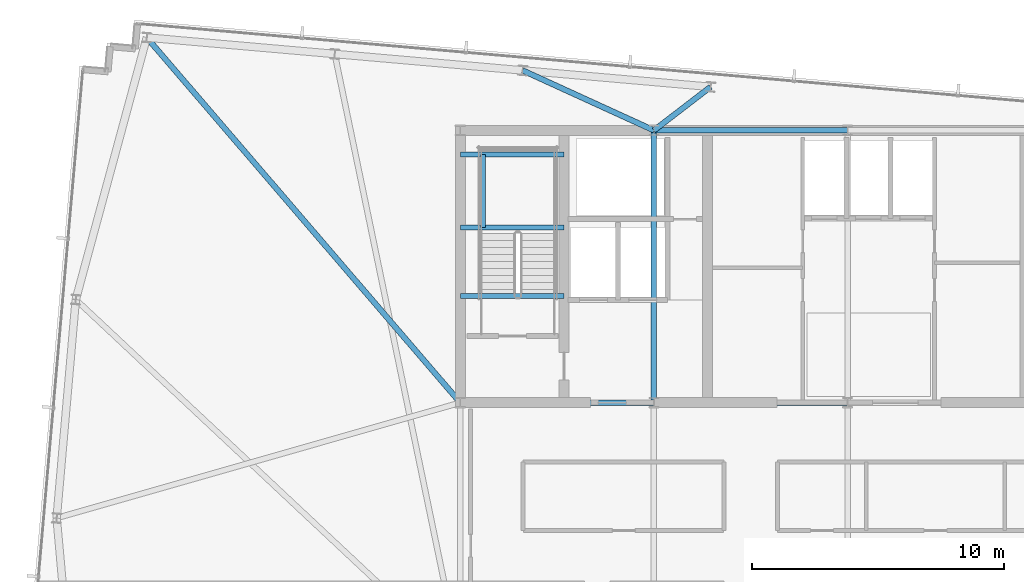
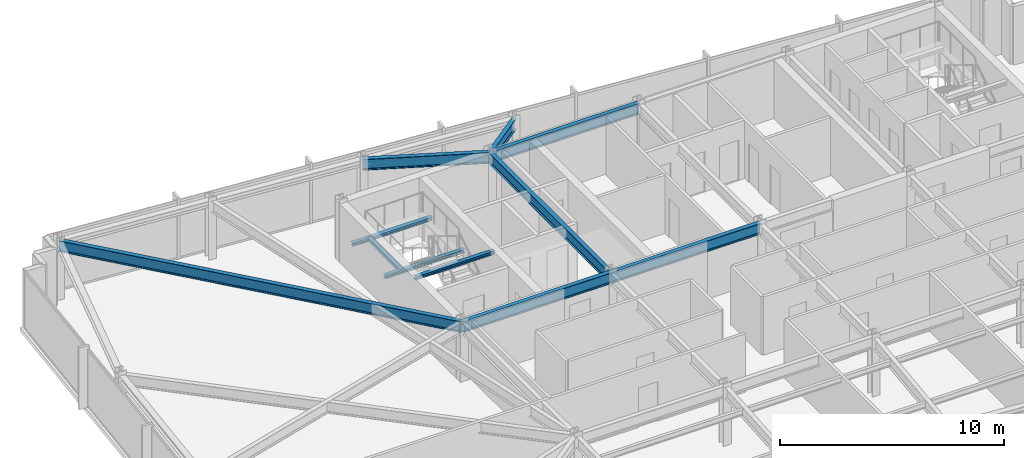
# One storey, part 12 of 32: 11 beams.
"""IFC4 building model written with IfcOpenShell, lengths in metres."""

from ifc_helpers import new_model, si_unit, direction, frame, origin, origin_2d, place, context, subcontext, project, spatial, i_section, extrude, material, material_profile, profile_set, type_object, element, save


model = new_model("IFC4")

# Units and contexts
model_context = context("Model", 3, precision=1e-05, world=origin(), true_north=direction((0.0, 1.0)))
body_context = subcontext(model_context, "Body", "Model", "MODEL_VIEW")
ifc_project = project(units=[si_unit("LENGTHUNIT", "METRE"), si_unit("AREAUNIT", "SQUARE_METRE"), si_unit("VOLUMEUNIT", "CUBIC_METRE"), si_unit("PLANEANGLEUNIT", "RADIAN"), si_unit("MASSUNIT", "GRAM", prefix="KILO")], contexts=[model_context])

# Site, building, storey
site_placement = place(None, origin())
site = spatial("IfcSite", under=ifc_project, at=site_placement, CompositionType="ELEMENT")
building_placement = place(site_placement, origin())
building = spatial("IfcBuilding", under=site, at=building_placement, Name="Yelkora Congress Tower", CompositionType="ELEMENT")
storey_placement = place(building_placement, frame((0.0, 0.0, 265.89990234375)))
storey = spatial("IfcBuildingStorey", under=building, at=storey_placement, Name="L74", CompositionType="ELEMENT", Elevation=265.89990234375)

# Beams
ifc_material = material(Name="Steel S355J2", Category="steel")
ifc_material_profile_1 = material_profile(ifc_material, i_section(OverallWidth=0.219970703125, OverallDepth=0.60009765625, WebThickness=0.011962890625, FlangeThickness=0.01904296875, FilletRadius=0.02392578125, at=origin_2d()), Name="IPE 600")
ifc_profile_set_1 = profile_set([ifc_material_profile_1], Name="Steel S355J2")
beam_type_1 = type_object("IfcBeamType", Name="BM-GIRD-IPE600", PredefinedType="BEAM", material=ifc_profile_set_1)
for number, where, z_axis, x_axis, name in (
    (1, (30.719970703125, 46.199951171875, 2.880126953125), (1.0, 0.0, 0.0), (0.0, 1.0, 0.0), "L74 Core North Girder 2"),
    (2, (23.0400390625, 35.39990234375, 2.880126953125), (1.0, 0.0, 0.0), (0.0, 1.0, 0.0), "L74 Core South Girder 1"),
    (3, (30.719970703125, 35.39990234375, 2.880126953125), (1.0, 0.0, 0.0), (0.0, 1.0, 0.0), "L74 Core South Girder 2"),
):
    element("IfcBeam", number, at=place(storey_placement, frame(where, z_axis=z_axis, x_axis=x_axis)), inside=storey, type_object=beam_type_1, Name=name, PredefinedType="BEAM", context=body_context, shape_type="SweptSolid", body=[
        extrude(i_section(OverallWidth=0.219970703125, OverallDepth=0.60009765625, WebThickness=0.011962890625, FlangeThickness=0.01904296875, FilletRadius=0.02392578125, at=origin_2d()), origin(), (0.0, 0.0, 1.0), 7.679931640625),
    ])
beam_1_placement = place(storey_placement, frame((30.719970703125, 35.39990234375, 2.880126953125), z_axis=(0.0, 1.0, 0.0), x_axis=(-1.0, 0.0, 0.0)))
element("IfcBeam", 4, at=beam_1_placement, inside=storey, type_object=beam_type_1, Name="L74 Core Tie Girder MC-S2", PredefinedType="BEAM", context=body_context, shape_type="SweptSolid", body=[
    extrude(i_section(OverallWidth=0.219970703125, OverallDepth=0.60009765625, WebThickness=0.011962890625, FlangeThickness=0.01904296875, FilletRadius=0.02392578125, at=origin_2d()), origin(), (0.0, 0.0, 1.0), 10.800048828125),
])
beam_2_placement = place(storey_placement, frame((10.60400390625, 49.884033203125, 2.880126953125), z_axis=(0.651427266579, -0.758711088859, 0.0), x_axis=(0.758711088859, 0.651427266579, 0.0)))
element("IfcBeam", 5, at=beam_2_placement, inside=storey, type_object=beam_type_1, Name="L74 Primary Frame Girder N01", PredefinedType="BEAM", context=body_context, shape_type="SweptSolid", body=[
    extrude(i_section(OverallWidth=0.219970703125, OverallDepth=0.60009765625, WebThickness=0.011962890625, FlangeThickness=0.01904296875, FilletRadius=0.02392578125, at=origin_2d()), origin(), (0.0, 0.0, 1.0), 19.09033203125),
])
beam_3_placement = place(storey_placement, frame((25.513916015625, 48.57958984375, 2.880126953125), z_axis=(0.909492445228, -0.415720449429, 0.0), x_axis=(0.415720449429, 0.909492445228, 0.0)))
element("IfcBeam", 6, at=beam_3_placement, inside=storey, type_object=beam_type_1, Name="L74 Primary Frame Girder N03", PredefinedType="BEAM", context=body_context, shape_type="SweptSolid", body=[
    extrude(i_section(OverallWidth=0.219970703125, OverallDepth=0.60009765625, WebThickness=0.011962890625, FlangeThickness=0.01904296875, FilletRadius=0.02392578125, at=origin_2d()), origin(), (0.0, 0.0, 1.0), 5.72412109375),
])
beam_4_placement = place(storey_placement, frame((32.968505859375, 47.927490234375, 2.880126953125), z_axis=(-0.792982335977, -0.609244626425, 0.0), x_axis=(0.609244626425, -0.792982335977, 0.0)))
element("IfcBeam", 7, at=beam_4_placement, inside=storey, type_object=beam_type_1, Name="L74 Primary Frame Girder N04", PredefinedType="BEAM", context=body_context, shape_type="SweptSolid", body=[
    extrude(i_section(OverallWidth=0.219970703125, OverallDepth=0.60009765625, WebThickness=0.011962890625, FlangeThickness=0.01904296875, FilletRadius=0.02392578125, at=origin_2d()), origin(), (0.0, 0.0, 1.0), 2.83544921875),
])
ifc_material_profile_2 = material_profile(ifc_material, i_section(OverallWidth=0.199951171875, OverallDepth=0.18994140625, WebThickness=0.006591796875, FlangeThickness=0.010009765625, FilletRadius=0.01806640625, at=origin_2d()), Name="HEA 200")
ifc_profile_set_2 = profile_set([ifc_material_profile_2], Name="Steel S355J2")
beam_type_2 = type_object("IfcBeamType", Name="BM-LAND-HEA200", PredefinedType="BEAM", material=ifc_profile_set_2)
for number, where, z_axis, x_axis, name in (
    (8, (23.0400390625, 42.340087890625, 1.384765625), (1.0, 0.0, 0.0), (0.0, 1.0, 0.0), "ST-01 L74 Landing Header Beam 1S"),
    (9, (23.0400390625, 45.25, 1.384765625), (1.0, 0.0, 0.0), (0.0, 1.0, 0.0), "ST-01 L74 Landing Header Beam 1N"),
):
    element("IfcBeam", number, at=place(storey_placement, frame(where, z_axis=z_axis, x_axis=x_axis)), inside=storey, type_object=beam_type_2, Name=name, PredefinedType="BEAM", context=body_context, shape_type="SweptSolid", body=[
        extrude(i_section(OverallWidth=0.199951171875, OverallDepth=0.18994140625, WebThickness=0.006591796875, FlangeThickness=0.010009765625, FilletRadius=0.01806640625, at=origin_2d()), origin(), (0.0, 0.0, 1.0), 4.10986328125),
    ])
beam_5_placement = place(storey_placement, frame((23.93994140625, 42.340087890625, 1.384765625), z_axis=(0.0, 1.0, 0.0), x_axis=(-1.0, 0.0, 0.0)))
element("IfcBeam", 10, at=beam_5_placement, inside=storey, type_object=beam_type_2, Name="ST-01 L74 Landing Trimmer Beam 1M", PredefinedType="BEAM", context=body_context, shape_type="SweptSolid", body=[
    extrude(i_section(OverallWidth=0.199951171875, OverallDepth=0.18994140625, WebThickness=0.006591796875, FlangeThickness=0.010009765625, FilletRadius=0.01806640625, at=origin_2d()), origin(), (0.0, 0.0, 1.0), 2.909912109375),
])
beam_6_placement = place(storey_placement, frame((23.0400390625, 39.639892578125, 2.947509765625), z_axis=(1.0, 0.0, 0.0), x_axis=(0.0, 1.0, 0.0)))
element("IfcBeam", 11, at=beam_6_placement, inside=storey, type_object=beam_type_2, Name="ST-01 L74 Floor Arrival Stringer Header Beam", PredefinedType="BEAM", context=body_context, shape_type="SweptSolid", body=[
    extrude(i_section(OverallWidth=0.199951171875, OverallDepth=0.18994140625, WebThickness=0.006591796875, FlangeThickness=0.010009765625, FilletRadius=0.01806640625, at=origin_2d()), origin(), (0.0, 0.0, 1.0), 4.10986328125),
])

save(model, "model.ifc")
